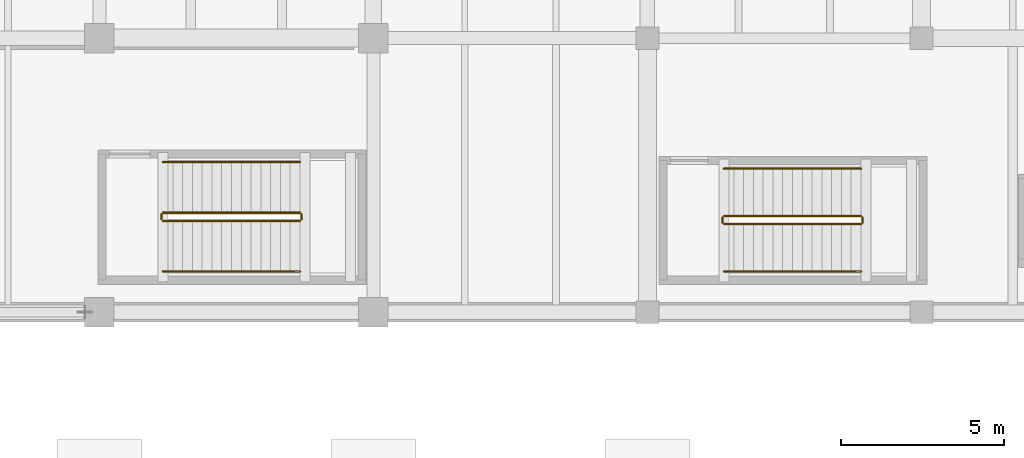
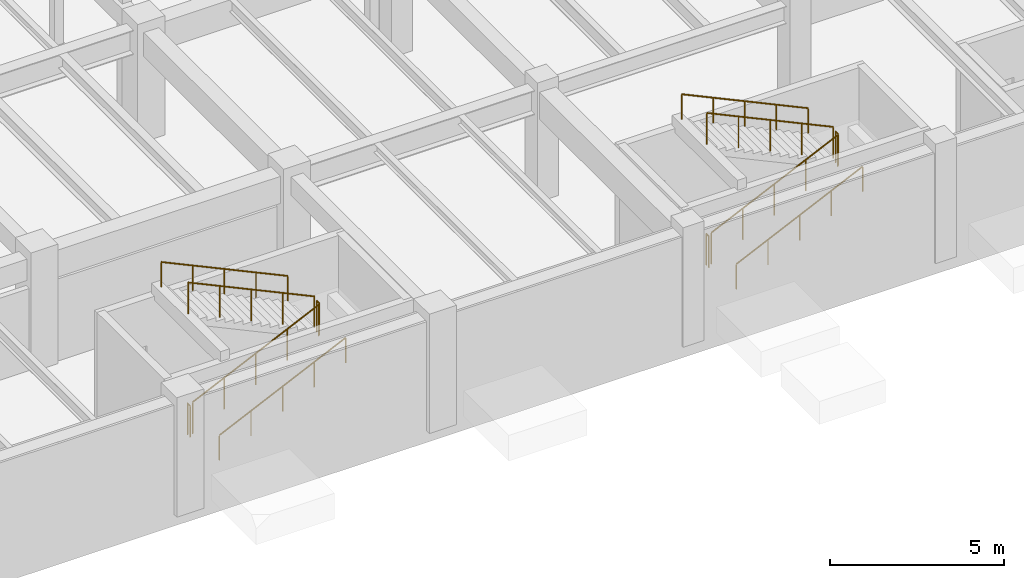
# One storey, part 52 of 63: 12 railings.
"""IFC4 building model written with IfcOpenShell, lengths in metres."""

from ifc_helpers import new_model, si_unit, direction, frame, origin, origin_2d, place, context, subcontext, project, spatial, circle, extrude, material, type_object, element, save


model = new_model("IFC4")

# Units and contexts
model_context = context("Model", 3, precision=1e-05, world=origin(), true_north=direction((0.0, 1.0)))
body_context = subcontext(model_context, "Body", "Model", "MODEL_VIEW")
ifc_project = project(units=[si_unit("LENGTHUNIT", "METRE"), si_unit("AREAUNIT", "SQUARE_METRE"), si_unit("VOLUMEUNIT", "CUBIC_METRE"), si_unit("PLANEANGLEUNIT", "RADIAN"), si_unit("MASSUNIT", "GRAM", prefix="KILO")], contexts=[model_context])

# Site, building, storey
site_placement = place(None, origin())
site = spatial("IfcSite", under=ifc_project, at=site_placement, CompositionType="ELEMENT")
building_placement = place(site_placement, origin())
building = spatial("IfcBuilding", under=site, at=building_placement, Name="Cumbredor Promenade Congress Hotel", CompositionType="ELEMENT")
storey_placement = place(building_placement, frame((0.0, 0.0, -4.199951171875)))
storey = spatial("IfcBuildingStorey", under=building, at=storey_placement, Name="B01", CompositionType="ELEMENT", Elevation=-4.199951171875)

# Railings
ifc_material = material(Name="Brushed stainless steel", Category="steel")
railing_type_1 = type_object("IfcRailingType", Name="Interior Void & Stair Guardrail GR-1100", PredefinedType="GUARDRAIL", material=ifc_material)
railing_1_placement = place(storey_placement, frame((60.75, 11.199951171875, 0.139892578125)))
element("IfcRailing", 1, at=railing_1_placement, inside=storey, type_object=railing_type_1, Name="B01 ST-05 stair guard 1", PredefinedType="GUARDRAIL", context=body_context, shape_type="SweptSolid", body=[
    extrude(circle(Radius=0.02392578125, at=origin_2d()), frame((0.0, 0.0, 1.09619140625), z_axis=(0.906184485727, 0.0, 0.422882581609), x_axis=(0.0, 1.0, 0.0)), (0.0, 0.0, 1.0), 4.634765625),
    extrude(circle(Radius=0.02099609375, at=origin_2d()), origin(), (0.0, 0.0, 1.0), 1.072021484375),
    extrude(circle(Radius=0.02099609375, at=origin_2d()), frame((1.050048828125, 0.0, 0.489990234375)), (0.0, 0.0, 1.0), 1.072021484375),
    extrude(circle(Radius=0.02099609375, at=origin_2d()), frame((2.10009765625, 0.0, 0.97998046875)), (0.0, 0.0, 1.0), 1.072021484375),
    extrude(circle(Radius=0.02099609375, at=origin_2d()), frame((3.14990234375, 0.0, 1.469970703125)), (0.0, 0.0, 1.0), 1.072021484375),
    extrude(circle(Radius=0.02099609375, at=origin_2d()), frame((4.199951171875, 0.0, 1.9599609375)), (0.0, 0.0, 1.0), 1.072021484375),
])
railing_2_placement = place(storey_placement, frame((65.0, 11.25, 2.099853515625)))
element("IfcRailing", 2, at=railing_2_placement, inside=storey, type_object=railing_type_1, Name="B01 ST-05 stair guard 2", PredefinedType="GUARDRAIL", context=body_context, shape_type="SweptSolid", body=[
    extrude(circle(Radius=0.02392578125, at=origin_2d()), frame((0.0, 0.0, 1.09619140625), z_axis=(0.0, 1.0, 0.0), x_axis=(-1.0, 0.0, 0.0)), (0.0, 0.0, 1.0), 0.14990234375),
    extrude(circle(Radius=0.02099609375, at=origin_2d()), origin(), (0.0, 0.0, 1.0), 1.072021484375),
    extrude(circle(Radius=0.02099609375, at=origin_2d()), frame((0.0, 0.14990234375, 0.0)), (0.0, 0.0, 1.0), 1.072021484375),
])
railing_3_placement = place(storey_placement, frame((64.949951171875, 11.449951171875, 2.239990234375)))
element("IfcRailing", 3, at=railing_3_placement, inside=storey, type_object=railing_type_1, Name="B01 ST-05 stair guard 3", PredefinedType="GUARDRAIL", context=body_context, shape_type="SweptSolid", body=[
    extrude(circle(Radius=0.02392578125, at=origin_2d()), frame((0.0, 0.0, 1.09619140625), z_axis=(-0.906184485727, 0.0, 0.422882581609), x_axis=(0.0, -1.0, 0.0)), (0.0, 0.0, 1.0), 4.634765625),
    extrude(circle(Radius=0.02099609375, at=origin_2d()), origin(), (0.0, 0.0, 1.0), 1.072021484375),
    extrude(circle(Radius=0.02099609375, at=origin_2d()), frame((-1.050048828125, 0.0, 0.489990234375)), (0.0, 0.0, 1.0), 1.072021484375),
    extrude(circle(Radius=0.02099609375, at=origin_2d()), frame((-2.10009765625, 0.0, 0.97998046875)), (0.0, 0.0, 1.0), 1.072021484375),
    extrude(circle(Radius=0.02099609375, at=origin_2d()), frame((-3.14990234375, 0.0, 1.469970703125)), (0.0, 0.0, 1.0), 1.072021484375),
    extrude(circle(Radius=0.02099609375, at=origin_2d()), frame((-4.199951171875, 0.0, 1.9599609375)), (0.0, 0.0, 1.0), 1.072021484375),
])
railing_4_placement = place(storey_placement, frame((60.699951171875, 11.25, 0.0)))
element("IfcRailing", 4, at=railing_4_placement, inside=storey, type_object=railing_type_1, Name="B01 ST-05 stair guard 4", PredefinedType="GUARDRAIL", context=body_context, shape_type="SweptSolid", body=[
    extrude(circle(Radius=0.02392578125, at=origin_2d()), frame((0.0, 0.0, 1.09619140625), z_axis=(0.0, 1.0, 0.0), x_axis=(-1.0, 0.0, 0.0)), (0.0, 0.0, 1.0), 0.14990234375),
    extrude(circle(Radius=0.02099609375, at=origin_2d()), origin(), (0.0, 0.0, 1.0), 1.072021484375),
    extrude(circle(Radius=0.02099609375, at=origin_2d()), frame((0.0, 0.14990234375, 0.0)), (0.0, 0.0, 1.0), 1.072021484375),
])
railing_5_placement = place(storey_placement, frame((77.949951171875, 11.10009765625, 0.139892578125)))
element("IfcRailing", 5, at=railing_5_placement, inside=storey, type_object=railing_type_1, Name="B01 ST-11 stair guard 1", PredefinedType="GUARDRAIL", context=body_context, shape_type="SweptSolid", body=[
    extrude(circle(Radius=0.02392578125, at=origin_2d()), frame((0.0, 0.0, 1.09619140625), z_axis=(0.906184485727, 0.0, 0.422882581609), x_axis=(0.0, 1.0, 0.0)), (0.0, 0.0, 1.0), 4.634765625),
    extrude(circle(Radius=0.02099609375, at=origin_2d()), origin(), (0.0, 0.0, 1.0), 1.072021484375),
    extrude(circle(Radius=0.02099609375, at=origin_2d()), frame((1.050048828125, 0.0, 0.489990234375)), (0.0, 0.0, 1.0), 1.072021484375),
    extrude(circle(Radius=0.02099609375, at=origin_2d()), frame((2.10009765625, 0.0, 0.97998046875)), (0.0, 0.0, 1.0), 1.072021484375),
    extrude(circle(Radius=0.02099609375, at=origin_2d()), frame((3.14990234375, 0.0, 1.469970703125)), (0.0, 0.0, 1.0), 1.072021484375),
    extrude(circle(Radius=0.02099609375, at=origin_2d()), frame((4.199951171875, 0.0, 1.9599609375)), (0.0, 0.0, 1.0), 1.072021484375),
])
railing_6_placement = place(storey_placement, frame((82.199951171875, 11.14990234375, 2.099853515625)))
element("IfcRailing", 6, at=railing_6_placement, inside=storey, type_object=railing_type_1, Name="B01 ST-11 stair guard 2", PredefinedType="GUARDRAIL", context=body_context, shape_type="SweptSolid", body=[
    extrude(circle(Radius=0.02392578125, at=origin_2d()), frame((0.0, 0.0, 1.09619140625), z_axis=(0.0, 1.0, 0.0), x_axis=(-1.0, 0.0, 0.0)), (0.0, 0.0, 1.0), 0.150146484375),
    extrude(circle(Radius=0.02099609375, at=origin_2d()), origin(), (0.0, 0.0, 1.0), 1.072021484375),
    extrude(circle(Radius=0.02099609375, at=origin_2d()), frame((0.0, 0.150146484375, 0.0)), (0.0, 0.0, 1.0), 1.072021484375),
])
railing_7_placement = place(storey_placement, frame((82.14990234375, 11.35009765625, 2.239990234375)))
element("IfcRailing", 7, at=railing_7_placement, inside=storey, type_object=railing_type_1, Name="B01 ST-11 stair guard 3", PredefinedType="GUARDRAIL", context=body_context, shape_type="SweptSolid", body=[
    extrude(circle(Radius=0.02392578125, at=origin_2d()), frame((0.0, 0.0, 1.09619140625), z_axis=(-0.906184485727, 0.0, 0.422882581609), x_axis=(0.0, -1.0, 0.0)), (0.0, 0.0, 1.0), 4.634765625),
    extrude(circle(Radius=0.02099609375, at=origin_2d()), origin(), (0.0, 0.0, 1.0), 1.072021484375),
    extrude(circle(Radius=0.02099609375, at=origin_2d()), frame((-1.050048828125, 0.0, 0.489990234375)), (0.0, 0.0, 1.0), 1.072021484375),
    extrude(circle(Radius=0.02099609375, at=origin_2d()), frame((-2.10009765625, 0.0, 0.97998046875)), (0.0, 0.0, 1.0), 1.072021484375),
    extrude(circle(Radius=0.02099609375, at=origin_2d()), frame((-3.14990234375, 0.0, 1.469970703125)), (0.0, 0.0, 1.0), 1.072021484375),
    extrude(circle(Radius=0.02099609375, at=origin_2d()), frame((-4.199951171875, 0.0, 1.9599609375)), (0.0, 0.0, 1.0), 1.072021484375),
])
railing_8_placement = place(storey_placement, frame((77.89990234375, 11.14990234375, 0.0)))
element("IfcRailing", 8, at=railing_8_placement, inside=storey, type_object=railing_type_1, Name="B01 ST-11 stair guard 4", PredefinedType="GUARDRAIL", context=body_context, shape_type="SweptSolid", body=[
    extrude(circle(Radius=0.02392578125, at=origin_2d()), frame((0.0, 0.0, 1.09619140625), z_axis=(0.0, 1.0, 0.0), x_axis=(-1.0, 0.0, 0.0)), (0.0, 0.0, 1.0), 0.150146484375),
    extrude(circle(Radius=0.02099609375, at=origin_2d()), origin(), (0.0, 0.0, 1.0), 1.072021484375),
    extrude(circle(Radius=0.02099609375, at=origin_2d()), frame((0.0, 0.150146484375, 0.0)), (0.0, 0.0, 1.0), 1.072021484375),
])
railing_type_2 = type_object("IfcRailingType", Name="Stair Pitch Handrail HR-900", PredefinedType="HANDRAIL", material=ifc_material)
railing_9_placement = place(storey_placement, frame((60.75, 9.64990234375, 0.139892578125)))
element("IfcRailing", 9, at=railing_9_placement, inside=storey, type_object=railing_type_2, Name="B01 ST-05 stair handrail 1", PredefinedType="HANDRAIL", context=body_context, shape_type="SweptSolid", body=[
    extrude(circle(Radius=0.02392578125, at=origin_2d()), frame((0.0, 0.0, 0.8759765625), z_axis=(0.906184485727, 0.0, 0.422882581609), x_axis=(0.0, 1.0, 0.0)), (0.0, 0.0, 1.0), 4.634765625),
    extrude(circle(Radius=0.02099609375, at=origin_2d()), origin(), (0.0, 0.0, 1.0), 0.851806640625),
    extrude(circle(Radius=0.02099609375, at=origin_2d()), frame((1.050048828125, 0.0, 0.489990234375)), (0.0, 0.0, 1.0), 0.851806640625),
    extrude(circle(Radius=0.02099609375, at=origin_2d()), frame((2.10009765625, 0.0, 0.97998046875)), (0.0, 0.0, 1.0), 0.851806640625),
    extrude(circle(Radius=0.02099609375, at=origin_2d()), frame((3.14990234375, 0.0, 1.469970703125)), (0.0, 0.0, 1.0), 0.851806640625),
    extrude(circle(Radius=0.02099609375, at=origin_2d()), frame((4.199951171875, 0.0, 1.9599609375)), (0.0, 0.0, 1.0), 0.851806640625),
])
railing_10_placement = place(storey_placement, frame((64.949951171875, 13.0, 2.239990234375)))
element("IfcRailing", 10, at=railing_10_placement, inside=storey, type_object=railing_type_2, Name="B01 ST-05 stair handrail 2", PredefinedType="HANDRAIL", context=body_context, shape_type="SweptSolid", body=[
    extrude(circle(Radius=0.02392578125, at=origin_2d()), frame((0.0, 0.0, 0.8759765625), z_axis=(-0.906184485727, 0.0, 0.422882581609), x_axis=(0.0, -1.0, 0.0)), (0.0, 0.0, 1.0), 4.634765625),
    extrude(circle(Radius=0.02099609375, at=origin_2d()), origin(), (0.0, 0.0, 1.0), 0.851806640625),
    extrude(circle(Radius=0.02099609375, at=origin_2d()), frame((-1.050048828125, 0.0, 0.489990234375)), (0.0, 0.0, 1.0), 0.851806640625),
    extrude(circle(Radius=0.02099609375, at=origin_2d()), frame((-2.10009765625, 0.0, 0.97998046875)), (0.0, 0.0, 1.0), 0.851806640625),
    extrude(circle(Radius=0.02099609375, at=origin_2d()), frame((-3.14990234375, 0.0, 1.469970703125)), (0.0, 0.0, 1.0), 0.851806640625),
    extrude(circle(Radius=0.02099609375, at=origin_2d()), frame((-4.199951171875, 0.0, 1.9599609375)), (0.0, 0.0, 1.0), 0.851806640625),
])
railing_11_placement = place(storey_placement, frame((77.949951171875, 9.64990234375, 0.139892578125)))
element("IfcRailing", 11, at=railing_11_placement, inside=storey, type_object=railing_type_2, Name="B01 ST-11 stair handrail 1", PredefinedType="HANDRAIL", context=body_context, shape_type="SweptSolid", body=[
    extrude(circle(Radius=0.02392578125, at=origin_2d()), frame((0.0, 0.0, 0.8759765625), z_axis=(0.906184485727, 0.0, 0.422882581609), x_axis=(0.0, 1.0, 0.0)), (0.0, 0.0, 1.0), 4.634765625),
    extrude(circle(Radius=0.02099609375, at=origin_2d()), origin(), (0.0, 0.0, 1.0), 0.851806640625),
    extrude(circle(Radius=0.02099609375, at=origin_2d()), frame((1.050048828125, 0.0, 0.489990234375)), (0.0, 0.0, 1.0), 0.851806640625),
    extrude(circle(Radius=0.02099609375, at=origin_2d()), frame((2.10009765625, 0.0, 0.97998046875)), (0.0, 0.0, 1.0), 0.851806640625),
    extrude(circle(Radius=0.02099609375, at=origin_2d()), frame((3.14990234375, 0.0, 1.469970703125)), (0.0, 0.0, 1.0), 0.851806640625),
    extrude(circle(Radius=0.02099609375, at=origin_2d()), frame((4.199951171875, 0.0, 1.9599609375)), (0.0, 0.0, 1.0), 0.851806640625),
])
railing_12_placement = place(storey_placement, frame((82.14990234375, 12.800048828125, 2.239990234375)))
element("IfcRailing", 12, at=railing_12_placement, inside=storey, type_object=railing_type_2, Name="B01 ST-11 stair handrail 2", PredefinedType="HANDRAIL", context=body_context, shape_type="SweptSolid", body=[
    extrude(circle(Radius=0.02392578125, at=origin_2d()), frame((0.0, 0.0, 0.8759765625), z_axis=(-0.906184485727, 0.0, 0.422882581609), x_axis=(0.0, -1.0, 0.0)), (0.0, 0.0, 1.0), 4.634765625),
    extrude(circle(Radius=0.02099609375, at=origin_2d()), origin(), (0.0, 0.0, 1.0), 0.851806640625),
    extrude(circle(Radius=0.02099609375, at=origin_2d()), frame((-1.050048828125, 0.0, 0.489990234375)), (0.0, 0.0, 1.0), 0.851806640625),
    extrude(circle(Radius=0.02099609375, at=origin_2d()), frame((-2.10009765625, 0.0, 0.97998046875)), (0.0, 0.0, 1.0), 0.851806640625),
    extrude(circle(Radius=0.02099609375, at=origin_2d()), frame((-3.14990234375, 0.0, 1.469970703125)), (0.0, 0.0, 1.0), 0.851806640625),
    extrude(circle(Radius=0.02099609375, at=origin_2d()), frame((-4.199951171875, 0.0, 1.9599609375)), (0.0, 0.0, 1.0), 0.851806640625),
])

save(model, "model.ifc")
